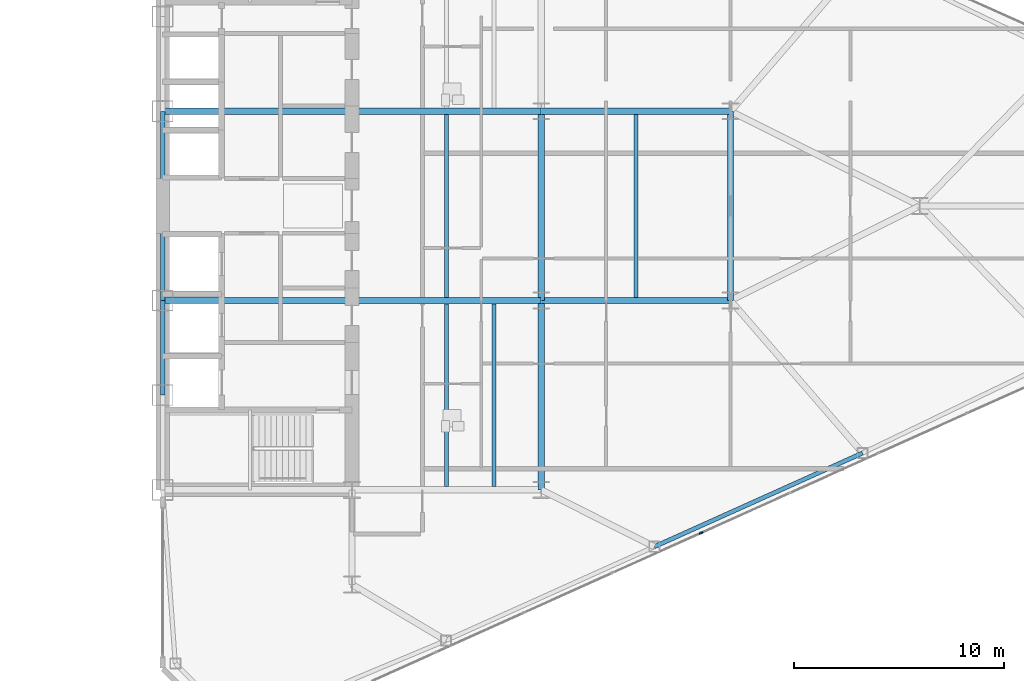
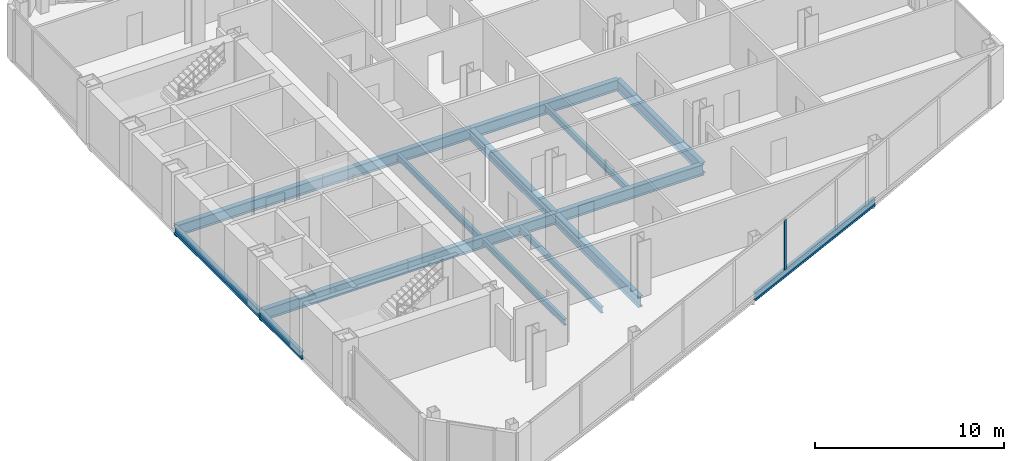
# One storey, part 12 of 27: 16 beams, 1 member, 1 element without a shape of its own.
"""IFC4 building model written with IfcOpenShell, lengths in metres."""

from ifc_helpers import new_model, si_unit, direction, frame, origin, origin_2d, place, context, subcontext, project, spatial, rectangle, i_section, extrude, source, transform, mapped, material, layer, layer_set, material_profile, profile_set, type_object, type_shapes, element, aggregate, save


model = new_model("IFC4")

# Units and contexts
model_context = context("Model", 3, precision=1e-05, world=origin(), true_north=direction((0.0, 1.0)))
body_context = subcontext(model_context, "Body", "Model", "MODEL_VIEW")
ifc_project = project(units=[si_unit("LENGTHUNIT", "METRE"), si_unit("AREAUNIT", "SQUARE_METRE"), si_unit("VOLUMEUNIT", "CUBIC_METRE"), si_unit("PLANEANGLEUNIT", "RADIAN"), si_unit("MASSUNIT", "GRAM", prefix="KILO")], contexts=[model_context])

# Site, building, storey
site_placement = place(None, origin())
site = spatial("IfcSite", under=ifc_project, at=site_placement, CompositionType="ELEMENT")
building_placement = place(site_placement, origin())
building = spatial("IfcBuilding", under=site, at=building_placement, Name="Seokmaru Belvedere", CompositionType="ELEMENT")
storey_placement = place(building_placement, frame((0.0, 0.0, 96.0)))
storey = spatial("IfcBuildingStorey", under=building, at=storey_placement, Name="L25", CompositionType="ELEMENT", Elevation=96.0)

# Beams
ifc_material_1 = material(Name="Steel SM355 (355 MPa)", Category="steel")
ifc_material_profile_1 = material_profile(ifc_material_1, i_section(OverallWidth=0.199951171875, OverallDepth=0.5, WebThickness=0.010009765625, FlangeThickness=0.01611328125, at=origin_2d()), Name="H-500x200x10x16")
ifc_profile_set_1 = profile_set([ifc_material_profile_1], Name="Steel SM355 (355 MPa)")
beam_type_1 = type_object("IfcBeamType", Name="Perimeter Spandrel Beam H-500", PredefinedType="SPANDREL", material=ifc_profile_set_1)
shared_shape_1 = source(origin(), body_context, "Body", "SweptSolid", [
    extrude(i_section(OverallWidth=0.199951171875, OverallDepth=0.5, WebThickness=0.010009765625, FlangeThickness=0.01611328125, at=origin_2d()), origin(), (0.0, 0.0, 1.0), 4.5),
])
beam_1_placement = place(storey_placement, frame((27.5, -9.0, -0.469970703125), z_axis=(0.0, 1.0, 0.0), x_axis=(-1.0, 0.0, 0.0)))
element("IfcBeam", 1, at=beam_1_placement, inside=storey, type_object=beam_type_1, Name="L25 E Portal Spine Spandrel 2", PredefinedType="SPANDREL", context=body_context, shape_type="MappedRepresentation", body=[
    mapped(shared_shape_1, transform((0.0, 0.0, 0.0), scale=1.0)),
])
shared_shape_2 = source(origin(), body_context, "Body", "SweptSolid", [
    extrude(i_section(OverallWidth=0.199951171875, OverallDepth=0.5, WebThickness=0.010009765625, FlangeThickness=0.01611328125, at=origin_2d()), origin(), (0.0, 0.0, 1.0), 9.0),
])
beam_2_placement = place(storey_placement, frame((27.5, -4.5, -0.469970703125), z_axis=(0.0, 1.0, 0.0), x_axis=(-1.0, 0.0, 0.0)))
element("IfcBeam", 2, at=beam_2_placement, inside=storey, type_object=beam_type_1, Name="L25 E Portal Spine Spandrel 3", PredefinedType="SPANDREL", context=body_context, shape_type="MappedRepresentation", body=[
    mapped(shared_shape_2, transform((0.0, 0.0, 0.0), scale=1.0)),
])
ifc_material_profile_2 = material_profile(ifc_material_1, i_section(OverallWidth=0.300048828125, OverallDepth=0.699951171875, WebThickness=0.012939453125, FlangeThickness=0.02392578125, at=origin_2d()), Name="H-700x300x13x24")
ifc_profile_set_2 = profile_set([ifc_material_profile_2], Name="Steel SM355 (355 MPa)")
beam_type_2 = type_object("IfcBeamType", Name="Primary Floor Girder H-700", PredefinedType="BEAM", material=ifc_profile_set_2)
shared_shape_3 = source(origin(), body_context, "Body", "SweptSolid", [
    extrude(i_section(OverallWidth=0.300048828125, OverallDepth=0.699951171875, WebThickness=0.012939453125, FlangeThickness=0.02392578125, at=origin_2d()), origin(), (0.0, 0.0, 1.0), 9.0),
])
type_shapes(beam_type_2, [shared_shape_3])
for number, where, z_axis, x_axis, name in (
    (3, (45.5, -13.5, -0.570068359375), (0.0, 1.0, 0.0), (-1.0, 0.0, 0.0), "L25 E Interior Grid Girder 1"),
    (4, (45.5, -4.5, -0.570068359375), (0.0, 1.0, 0.0), (-1.0, 0.0, 0.0), "L25 E Interior Grid Girder 2"),
    (5, (27.5, -4.5, -0.570068359375), (1.0, 0.0, 0.0), (0.0, 1.0, 0.0), "L25 E Core Tie Girder 2"),
    (6, (36.5, -4.5, -0.570068359375), (1.0, 0.0, 0.0), (0.0, 1.0, 0.0), "L25 E Wing Primary Girder 2"),
    (7, (27.5, 4.5, -0.570068359375), (1.0, 0.0, 0.0), (0.0, 1.0, 0.0), "L25 E Core Tie Girder 3"),
    (8, (36.5, 4.5, -0.570068359375), (1.0, 0.0, 0.0), (0.0, 1.0, 0.0), "L25 E Wing Primary Girder 3"),
    (9, (45.5, -4.5, -0.570068359375), (1.0, 0.0, 0.0), (0.0, 1.0, 0.0), "L25 E Outer Wing Girder 1"),
    (10, (45.5, 4.5, -0.570068359375), (1.0, 0.0, 0.0), (0.0, 1.0, 0.0), "L25 E Outer Wing Girder 2"),
    (11, (54.5, -4.5, -0.570068359375), (0.0, 1.0, 0.0), (-1.0, 0.0, 0.0), "L25 E Apex Frame Girder"),
):
    element("IfcBeam", number, at=place(storey_placement, frame(where, z_axis=z_axis, x_axis=x_axis)), inside=storey, type_object=beam_type_2, Name=name, PredefinedType="BEAM", context=body_context, shape_type="MappedRepresentation", body=[
        mapped(shared_shape_3, transform((0.0, 0.0, 0.0), scale=1.0)),
    ])
ifc_material_profile_3 = material_profile(ifc_material_1, i_section(OverallWidth=0.18505859375, OverallDepth=0.389892578125, WebThickness=0.008056640625, FlangeThickness=0.011962890625, at=origin_2d()), Name="H-390x185x8x12")
ifc_profile_set_3 = profile_set([ifc_material_profile_3], Name="Steel SM355 (355 MPa)")
beam_type_3 = type_object("IfcBeamType", Name="Secondary Floor Joist H-350", PredefinedType="JOIST", material=ifc_profile_set_3)
shared_shape_4 = source(origin(), body_context, "Body", "SweptSolid", [
    extrude(i_section(OverallWidth=0.18505859375, OverallDepth=0.389892578125, WebThickness=0.008056640625, FlangeThickness=0.011962890625, at=origin_2d()), origin(), (0.0, 0.0, 1.0), 8.68994140625),
])
type_shapes(beam_type_3, [shared_shape_4])
for number, where, z_axis, x_axis, name in (
    (12, (43.25, -13.344970703125, -0.4150390625), (0.0, 1.0, 0.0), (-1.0, 0.0, 0.0), "L25 E Wing Inner Secondary Joist 1"),
    (13, (41.0, -13.344970703125, -0.4150390625), (0.0, 1.0, 0.0), (-1.0, 0.0, 0.0), "L25 E Secondary Floor Joist 1"),
    (14, (41.0, -4.344970703125, -0.4150390625), (0.0, 1.0, 0.0), (-1.0, 0.0, 0.0), "L25 E Secondary Floor Joist 2"),
    (15, (50.0, -4.344970703125, -0.4150390625), (0.0, 1.0, 0.0), (-1.0, 0.0, 0.0), "L25 E Outer Bay Secondary Joist"),
):
    element("IfcBeam", number, at=place(storey_placement, frame(where, z_axis=z_axis, x_axis=x_axis)), inside=storey, type_object=beam_type_3, Name=name, PredefinedType="JOIST", context=body_context, shape_type="MappedRepresentation", body=[
        mapped(shared_shape_4, transform((0.0, 0.0, 0.0), scale=1.0)),
    ])
shared_shape_5 = source(origin(), body_context, "Body", "SweptSolid", [
    extrude(i_section(OverallWidth=0.199951171875, OverallDepth=0.5, WebThickness=0.010009765625, FlangeThickness=0.01611328125, at=origin_2d()), origin(), (0.0, 0.0, 1.0), 10.85888671875),
])
type_shapes(beam_type_1, [shared_shape_1, shared_shape_2, shared_shape_5])
beam_3_placement = place(storey_placement, frame((50.875, -16.205322265625, -0.469970703125), z_axis=(0.911925291223, 0.410356263785, 0.0), x_axis=(-0.410356263785, 0.911925291223, 0.0)))
element("IfcBeam", 16, at=beam_3_placement, inside=storey, type_object=beam_type_1, Name="L25 E Faceted Flank Spandrel S-3", PredefinedType="SPANDREL", context=body_context, shape_type="MappedRepresentation", body=[
    mapped(shared_shape_5, transform((0.0, 0.0, 0.0), scale=1.0)),
])

# Curtain wall, member
ifc_material_2 = material(Name="Bronze Triple Insulating Glass", Category="glass")
ifc_layer = layer(ifc_material_2, 0.195068359375)
ifc_layer_set = layer_set([ifc_layer], Name="Bronze Triple Insulating Glass")
curtain_wall_type = type_object("IfcCurtainWallType", Name="Lower-Mid Tapered Curtain Wall System CW-3", PredefinedType="NOTDEFINED", material=ifc_layer_set)
curtain_wall_placement = place(storey_placement, origin())
curtain_wall = element("IfcCurtainWall", 17, at=curtain_wall_placement, inside=storey, type_object=curtain_wall_type, Name="L25 Curtain Wall EF1", PredefinedType="NOTDEFINED")
ifc_material_3 = material(Name="Anodised Bronze Aluminium", Category="aluminium")
ifc_material_profile_4 = material_profile(ifc_material_3, rectangle(XDim=0.070068359375, YDim=0.195068359375, at=origin_2d()), Name="CW-M-70x195")
ifc_profile_set_4 = profile_set([ifc_material_profile_4], Name="Anodised Bronze Aluminium")
member_type = type_object("IfcMemberType", Name="Bronze Unitised Mullion 70x195", PredefinedType="MULLION", material=ifc_profile_set_4)
shared_shape_6 = source(origin(), body_context, "Body", "SweptSolid", [
    extrude(rectangle(XDim=0.070068359375, YDim=0.195068359375, at=origin_2d()), origin(), (0.0, 0.0, 1.0), 3.239990234375),
])
type_shapes(member_type, [shared_shape_6])
member_placement = place(storey_placement, frame((53.105712890625, -15.552490234375, 0.070068359375), z_axis=(0.0, 0.0, 1.0), x_axis=(-0.41036554765, 0.91192111353, 0.0)))
member = element("IfcMember", 18, at=member_placement, type_object=member_type, Name="CW:L25:EF1 Mullion 6", PredefinedType="MULLION", context=body_context, shape_type="MappedRepresentation", body=[
    mapped(shared_shape_6, transform((0.0, 0.0, 0.0), scale=1.0)),
])
aggregate(curtain_wall, [member])

save(model, "model.ifc")
